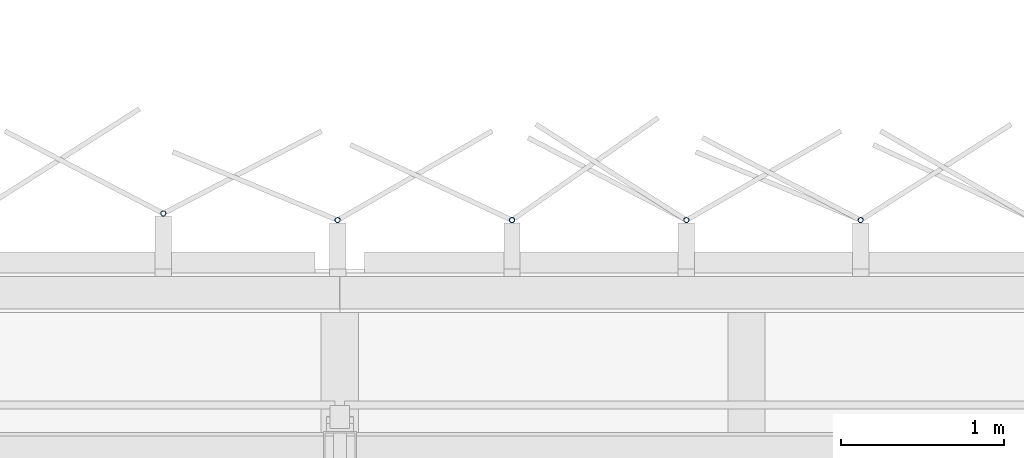
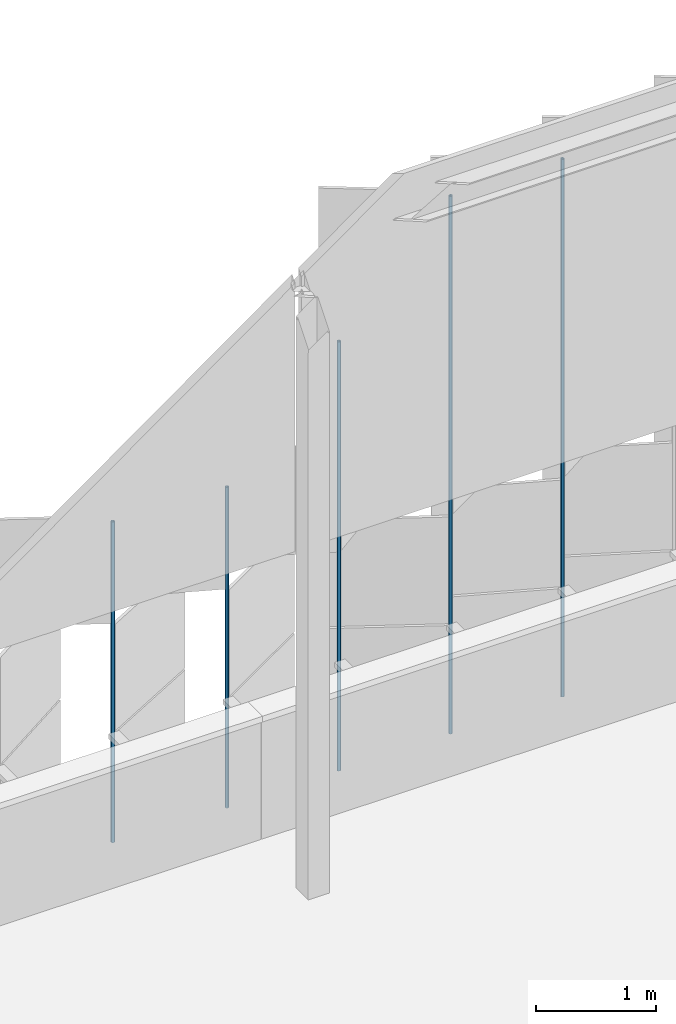
# One storey, part 336 of 483: 5 discrete accessories.
"""IFC4 building model written with IfcOpenShell, lengths in metres."""

from ifc_helpers import new_model, si_unit, direction, frame, origin, origin_2d, place, context, subcontext, project, spatial, hollow_circle, extrude, material, material_profile, profile_set, type_object, element, save


model = new_model("IFC4")

# Units and contexts
model_context = context("Model", 3, precision=1e-05, world=origin(), true_north=direction((0.0, 1.0)))
body_context = subcontext(model_context, "Body", "Model", "MODEL_VIEW")
ifc_project = project(units=[si_unit("LENGTHUNIT", "METRE"), si_unit("AREAUNIT", "SQUARE_METRE"), si_unit("VOLUMEUNIT", "CUBIC_METRE"), si_unit("PLANEANGLEUNIT", "RADIAN"), si_unit("MASSUNIT", "GRAM", prefix="KILO")], contexts=[model_context])

# Site, building, storey
site_placement = place(None, origin())
site = spatial("IfcSite", under=ifc_project, at=site_placement, CompositionType="ELEMENT")
building_placement = place(site_placement, origin())
building = spatial("IfcBuilding", under=site, at=building_placement, Name="Parallax Yard Mobility Hub", CompositionType="ELEMENT")
storey_placement = place(building_placement, frame((0.0, 0.0, 13.199951171875)))
storey = spatial("IfcBuildingStorey", under=building, at=storey_placement, Name="L04", CompositionType="ELEMENT", Elevation=13.199951171875)

# Discrete accessories
ifc_material = material(Name="Steel ASTM A500 Gr C, hot-dip galvanised", Category="steel")
ifc_material_profile = material_profile(ifc_material, hollow_circle(Radius=0.016845703125, WallThickness=0.003173828125, at=origin_2d()), Name="CHS 33.7x3.2")
ifc_profile_set = profile_set([ifc_material_profile], Name="Steel ASTM A500 Gr C, hot-dip galvanised")
discrete_accessory_type = type_object("IfcDiscreteAccessoryType", Name="Hinge post CHS 33.7x3.2", PredefinedType="BRACKET", material=ifc_profile_set)
for number, where, z_axis, x_axis, name in (
    (1, (48.201416015625, 142.800048828125, 0.0), (0.0, 0.0, 1.0), (1.0, 0.0, 0.0), "Hinge post bay 67.5 level L04"),
    (2, (47.1298828125, 142.800048828125, 0.0), (0.0, 0.0, 1.0), (1.0, 0.0, 0.0), "Hinge post bay 67.6 level L04"),
):
    element("IfcDiscreteAccessory", number, at=place(storey_placement, frame(where, z_axis=z_axis, x_axis=x_axis)), inside=storey, type_object=discrete_accessory_type, Name=name, PredefinedType="BRACKET", context=body_context, shape_type="SweptSolid", body=[
        extrude(hollow_circle(Radius=0.016845703125, WallThickness=0.003173828125, at=origin_2d()), origin(), (0.0, 0.0, 1.0), 5.449951171875),
    ])
discrete_accessory_placement = place(storey_placement, frame((46.058349609375, 142.800048828125, 0.0), z_axis=(0.0, 0.0, 1.0), x_axis=(1.0, 0.0, 0.0)))
element("IfcDiscreteAccessory", 3, at=discrete_accessory_placement, inside=storey, type_object=discrete_accessory_type, Name="Hinge post bay 67.7 level L04", PredefinedType="BRACKET", context=body_context, shape_type="SweptSolid", body=[
    extrude(hollow_circle(Radius=0.016845703125, WallThickness=0.003173828125, at=origin_2d()), origin(), (0.0, 0.0, 1.0), 4.35009765625),
])
for number, where, z_axis, x_axis, name in (
    (4, (44.98681640625, 142.800048828125, 0.0), (0.0, 0.0, 1.0), (1.0, 0.0, 0.0), "Hinge post bay 68.1 level L04"),
    (5, (43.915283203125, 142.841064453125, 0.0), (0.0, 0.0, 1.0), (1.0, 0.0, 0.0), "Hinge post bay 68.2 level L04"),
):
    element("IfcDiscreteAccessory", number, at=place(storey_placement, frame(where, z_axis=z_axis, x_axis=x_axis)), inside=storey, type_object=discrete_accessory_type, Name=name, PredefinedType="BRACKET", context=body_context, shape_type="SweptSolid", body=[
        extrude(hollow_circle(Radius=0.016845703125, WallThickness=0.003173828125, at=origin_2d()), origin(), (0.0, 0.0, 1.0), 3.25),
    ])

save(model, "model.ifc")
